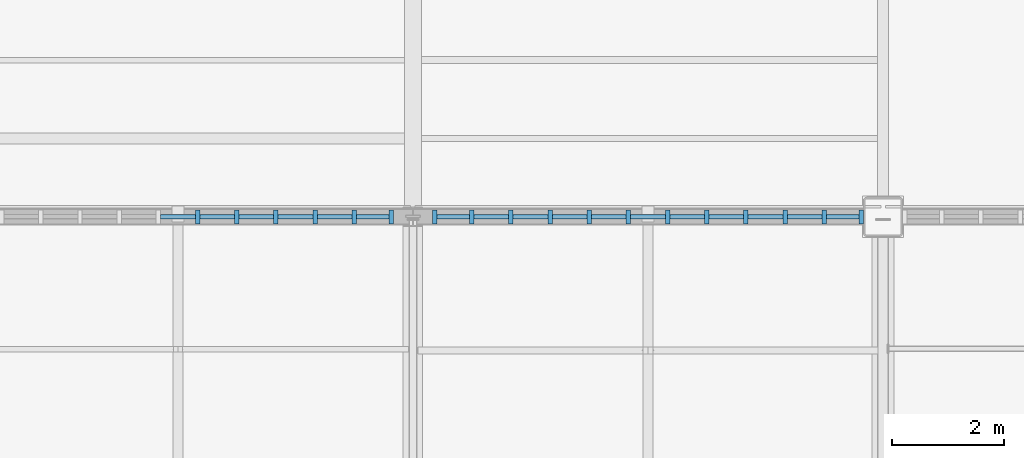
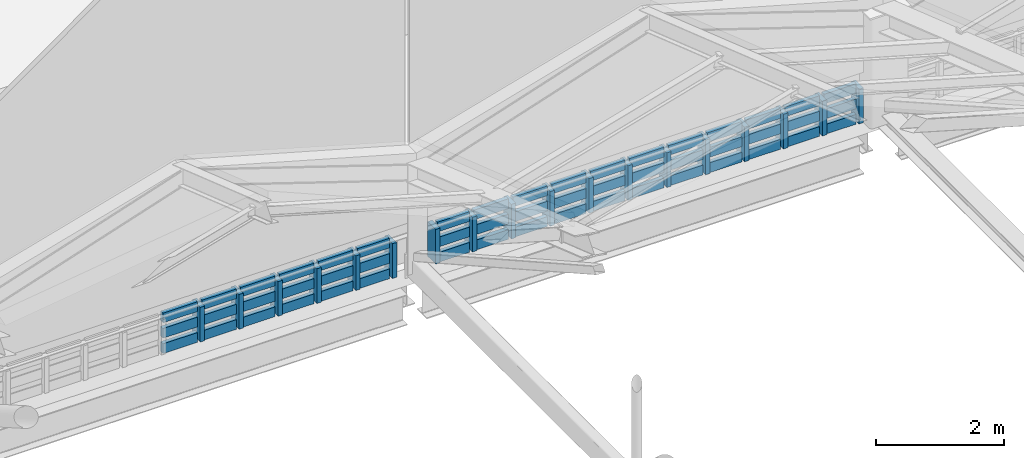
# One storey, part 48 of 77: 69 members, 2 elements without a shape of their own.
"""IFC4 building model written with IfcOpenShell, lengths in metres."""

from ifc_helpers import new_model, si_unit, direction, frame, origin, origin_2d, place, context, subcontext, project, spatial, rectangle, extrude, material, material_profile, profile_set, type_object, element, aggregate, save


model = new_model("IFC4")

# Units and contexts
model_context = context("Model", 3, precision=1e-05, world=origin(), true_north=direction((0.0, 1.0)))
body_context = subcontext(model_context, "Body", "Model", "MODEL_VIEW")
ifc_project = project(units=[si_unit("LENGTHUNIT", "METRE"), si_unit("AREAUNIT", "SQUARE_METRE"), si_unit("VOLUMEUNIT", "CUBIC_METRE"), si_unit("PLANEANGLEUNIT", "RADIAN"), si_unit("MASSUNIT", "GRAM", prefix="KILO")], contexts=[model_context])

# Site, building, storey
site_placement = place(None, origin())
site = spatial("IfcSite", under=ifc_project, at=site_placement, CompositionType="ELEMENT")
building_placement = place(site_placement, origin())
building = spatial("IfcBuilding", under=site, at=building_placement, Name="Larkvane Passage Sports Hall", CompositionType="ELEMENT")
storey_placement = place(building_placement, frame((0.0, 0.0, 22.199951171875)))
storey = spatial("IfcBuildingStorey", under=building, at=storey_placement, Name="RF", CompositionType="ELEMENT", Elevation=22.199951171875)

# Curtain wall, members
ifc_material_1 = material(Name="Thermally broken aluminium and low-E glazing", Category="aluminium")
curtain_wall_type = type_object("IfcCurtainWallType", Name="CW-CLER-N", PredefinedType="USERDEFINED", material=ifc_material_1)
curtain_wall_1_placement = place(storey_placement, origin())
curtain_wall_1 = element("IfcCurtainWall", 1, at=curtain_wall_1_placement, inside=storey, type_object=curtain_wall_type, Name="Curtain wall CW5-RF-CLER-4", ObjectType="STICK CURTAIN WALL", PredefinedType="USERDEFINED")
ifc_material_2 = material(Name="Anodised aluminium 6063-T6", Category="aluminium")
ifc_material_profile_1 = material_profile(ifc_material_2, rectangle(XDim=0.080078125, YDim=0.25, at=origin_2d()), Name="ALU-MUL-80x250")
ifc_profile_set_1 = profile_set([ifc_material_profile_1], Name="Anodised aluminium 6063-T6")
member_type_1 = type_object("IfcMemberType", Name="CW-MUL-80x250", PredefinedType="MULLION", material=ifc_profile_set_1)
member_1_placement = place(storey_placement, frame((68.010009765625, 75.60009765625, 0.0), z_axis=(0.0, 0.0, 1.0), x_axis=(-1.0, 0.0, 0.0)))
member_1 = element("IfcMember", 2, at=member_1_placement, type_object=member_type_1, Name="CW-04 mullion 1", PredefinedType="MULLION", context=body_context, shape_type="SweptSolid", body=[
    extrude(rectangle(XDim=0.080078125, YDim=0.25, at=origin_2d()), origin(), (0.0, 0.0, 1.0), 0.66015625),
])
member_2_placement = place(storey_placement, frame((67.35009765625, 75.60009765625, 0.0), z_axis=(0.0, 0.0, 1.0), x_axis=(-1.0, 0.0, 0.0)))
member_2 = element("IfcMember", 3, at=member_2_placement, type_object=member_type_1, Name="CW-04 mullion 2", PredefinedType="MULLION", context=body_context, shape_type="SweptSolid", body=[
    extrude(rectangle(XDim=0.080078125, YDim=0.25, at=origin_2d()), origin(), (0.0, 0.0, 1.0), 0.66015625),
])
member_3_placement = place(storey_placement, frame((66.64990234375, 75.60009765625, 0.0), z_axis=(0.0, 0.0, 1.0), x_axis=(-1.0, 0.0, 0.0)))
member_3 = element("IfcMember", 4, at=member_3_placement, type_object=member_type_1, Name="CW-04 mullion 3", PredefinedType="MULLION", context=body_context, shape_type="SweptSolid", body=[
    extrude(rectangle(XDim=0.080078125, YDim=0.25, at=origin_2d()), origin(), (0.0, 0.0, 1.0), 0.66015625),
])
member_4_placement = place(storey_placement, frame((65.949951171875, 75.60009765625, 0.0), z_axis=(0.0, 0.0, 1.0), x_axis=(-1.0, 0.0, 0.0)))
member_4 = element("IfcMember", 5, at=member_4_placement, type_object=member_type_1, Name="CW-04 mullion 4", PredefinedType="MULLION", context=body_context, shape_type="SweptSolid", body=[
    extrude(rectangle(XDim=0.080078125, YDim=0.25, at=origin_2d()), origin(), (0.0, 0.0, 1.0), 0.66015625),
])
member_5_placement = place(storey_placement, frame((65.25, 75.60009765625, 0.0), z_axis=(0.0, 0.0, 1.0), x_axis=(-1.0, 0.0, 0.0)))
member_5 = element("IfcMember", 6, at=member_5_placement, type_object=member_type_1, Name="CW-04 mullion 5", PredefinedType="MULLION", context=body_context, shape_type="SweptSolid", body=[
    extrude(rectangle(XDim=0.080078125, YDim=0.25, at=origin_2d()), origin(), (0.0, 0.0, 1.0), 0.66015625),
])
member_6_placement = place(storey_placement, frame((64.550048828125, 75.60009765625, 0.0), z_axis=(0.0, 0.0, 1.0), x_axis=(-1.0, 0.0, 0.0)))
member_6 = element("IfcMember", 7, at=member_6_placement, type_object=member_type_1, Name="CW-04 mullion 6", PredefinedType="MULLION", context=body_context, shape_type="SweptSolid", body=[
    extrude(rectangle(XDim=0.080078125, YDim=0.25, at=origin_2d()), origin(), (0.0, 0.0, 1.0), 0.66015625),
])

curtain_wall_2_placement = place(storey_placement, origin())
curtain_wall_2 = element("IfcCurtainWall", 8, at=curtain_wall_2_placement, inside=storey, type_object=curtain_wall_type, Name="Curtain wall CW5-RF-CLER-5", ObjectType="STICK CURTAIN WALL", PredefinedType="USERDEFINED")
member_7_placement = place(storey_placement, frame((76.409912109375, 75.60009765625, 0.0), z_axis=(0.0, 0.0, 1.0), x_axis=(-1.0, 0.0, 0.0)))
member_7 = element("IfcMember", 9, at=member_7_placement, type_object=member_type_1, Name="CW-04 mullion 1", PredefinedType="MULLION", context=body_context, shape_type="SweptSolid", body=[
    extrude(rectangle(XDim=0.080078125, YDim=0.25, at=origin_2d()), origin(), (0.0, 0.0, 1.0), 0.66015625),
])
member_8_placement = place(storey_placement, frame((75.75, 75.60009765625, 0.0), z_axis=(0.0, 0.0, 1.0), x_axis=(-1.0, 0.0, 0.0)))
member_8 = element("IfcMember", 10, at=member_8_placement, type_object=member_type_1, Name="CW-04 mullion 2", PredefinedType="MULLION", context=body_context, shape_type="SweptSolid", body=[
    extrude(rectangle(XDim=0.080078125, YDim=0.25, at=origin_2d()), origin(), (0.0, 0.0, 1.0), 0.66015625),
])
member_9_placement = place(storey_placement, frame((75.050048828125, 75.60009765625, 0.0), z_axis=(0.0, 0.0, 1.0), x_axis=(-1.0, 0.0, 0.0)))
member_9 = element("IfcMember", 11, at=member_9_placement, type_object=member_type_1, Name="CW-04 mullion 3", PredefinedType="MULLION", context=body_context, shape_type="SweptSolid", body=[
    extrude(rectangle(XDim=0.080078125, YDim=0.25, at=origin_2d()), origin(), (0.0, 0.0, 1.0), 0.66015625),
])
member_10_placement = place(storey_placement, frame((74.35009765625, 75.60009765625, 0.0), z_axis=(0.0, 0.0, 1.0), x_axis=(-1.0, 0.0, 0.0)))
member_10 = element("IfcMember", 12, at=member_10_placement, type_object=member_type_1, Name="CW-04 mullion 4", PredefinedType="MULLION", context=body_context, shape_type="SweptSolid", body=[
    extrude(rectangle(XDim=0.080078125, YDim=0.25, at=origin_2d()), origin(), (0.0, 0.0, 1.0), 0.66015625),
])
member_11_placement = place(storey_placement, frame((73.64990234375, 75.60009765625, 0.0), z_axis=(0.0, 0.0, 1.0), x_axis=(-1.0, 0.0, 0.0)))
member_11 = element("IfcMember", 13, at=member_11_placement, type_object=member_type_1, Name="CW-04 mullion 5", PredefinedType="MULLION", context=body_context, shape_type="SweptSolid", body=[
    extrude(rectangle(XDim=0.080078125, YDim=0.25, at=origin_2d()), origin(), (0.0, 0.0, 1.0), 0.66015625),
])
member_12_placement = place(storey_placement, frame((72.949951171875, 75.60009765625, 0.0), z_axis=(0.0, 0.0, 1.0), x_axis=(-1.0, 0.0, 0.0)))
member_12 = element("IfcMember", 14, at=member_12_placement, type_object=member_type_1, Name="CW-04 mullion 6", PredefinedType="MULLION", context=body_context, shape_type="SweptSolid", body=[
    extrude(rectangle(XDim=0.080078125, YDim=0.25, at=origin_2d()), origin(), (0.0, 0.0, 1.0), 0.66015625),
])
member_13_placement = place(storey_placement, frame((72.25, 75.60009765625, 0.0), z_axis=(0.0, 0.0, 1.0), x_axis=(-1.0, 0.0, 0.0)))
member_13 = element("IfcMember", 15, at=member_13_placement, type_object=member_type_1, Name="CW-04 mullion 7", PredefinedType="MULLION", context=body_context, shape_type="SweptSolid", body=[
    extrude(rectangle(XDim=0.080078125, YDim=0.25, at=origin_2d()), origin(), (0.0, 0.0, 1.0), 0.66015625),
])
member_14_placement = place(storey_placement, frame((71.550048828125, 75.60009765625, 0.0), z_axis=(0.0, 0.0, 1.0), x_axis=(-1.0, 0.0, 0.0)))
member_14 = element("IfcMember", 16, at=member_14_placement, type_object=member_type_1, Name="CW-04 mullion 8", PredefinedType="MULLION", context=body_context, shape_type="SweptSolid", body=[
    extrude(rectangle(XDim=0.080078125, YDim=0.25, at=origin_2d()), origin(), (0.0, 0.0, 1.0), 0.66015625),
])
member_15_placement = place(storey_placement, frame((70.85009765625, 75.60009765625, 0.0), z_axis=(0.0, 0.0, 1.0), x_axis=(-1.0, 0.0, 0.0)))
member_15 = element("IfcMember", 17, at=member_15_placement, type_object=member_type_1, Name="CW-04 mullion 9", PredefinedType="MULLION", context=body_context, shape_type="SweptSolid", body=[
    extrude(rectangle(XDim=0.080078125, YDim=0.25, at=origin_2d()), origin(), (0.0, 0.0, 1.0), 0.66015625),
])
member_16_placement = place(storey_placement, frame((70.14990234375, 75.60009765625, 0.0), z_axis=(0.0, 0.0, 1.0), x_axis=(-1.0, 0.0, 0.0)))
member_16 = element("IfcMember", 18, at=member_16_placement, type_object=member_type_1, Name="CW-04 mullion 10", PredefinedType="MULLION", context=body_context, shape_type="SweptSolid", body=[
    extrude(rectangle(XDim=0.080078125, YDim=0.25, at=origin_2d()), origin(), (0.0, 0.0, 1.0), 0.66015625),
])
member_17_placement = place(storey_placement, frame((69.449951171875, 75.60009765625, 0.0), z_axis=(0.0, 0.0, 1.0), x_axis=(-1.0, 0.0, 0.0)))
member_17 = element("IfcMember", 19, at=member_17_placement, type_object=member_type_1, Name="CW-04 mullion 11", PredefinedType="MULLION", context=body_context, shape_type="SweptSolid", body=[
    extrude(rectangle(XDim=0.080078125, YDim=0.25, at=origin_2d()), origin(), (0.0, 0.0, 1.0), 0.66015625),
])
member_18_placement = place(storey_placement, frame((68.7900390625, 75.60009765625, 0.0), z_axis=(0.0, 0.0, 1.0), x_axis=(-1.0, 0.0, 0.0)))
member_18 = element("IfcMember", 20, at=member_18_placement, type_object=member_type_1, Name="CW-04 mullion 12", PredefinedType="MULLION", context=body_context, shape_type="SweptSolid", body=[
    extrude(rectangle(XDim=0.080078125, YDim=0.25, at=origin_2d()), origin(), (0.0, 0.0, 1.0), 0.66015625),
])

# Member
ifc_material_profile_2 = material_profile(ifc_material_2, rectangle(XDim=0.074951171875, YDim=0.18505859375, at=origin_2d()), Name="ALU-TRN-75x185")
ifc_profile_set_2 = profile_set([ifc_material_profile_2], Name="Anodised aluminium 6063-T6")
member_type_2 = type_object("IfcMemberType", Name="CW-TRN-75x185", PredefinedType="USERDEFINED", material=ifc_profile_set_2)
member_19_placement = place(storey_placement, frame((67.969970703125, 75.60009765625, 0.03759765625), z_axis=(-1.0, 0.0, 0.0), x_axis=(0.0, -1.0, 0.0)))
member_19 = element("IfcMember", 21, at=member_19_placement, type_object=member_type_2, Name="CW-04 transom 1.1", ObjectType="TRANSOM", PredefinedType="USERDEFINED", context=body_context, shape_type="SweptSolid", body=[
    extrude(rectangle(XDim=0.074951171875, YDim=0.18505859375, at=origin_2d()), origin(), (0.0, 0.0, 1.0), 0.580078125),
])

member_20_placement = place(storey_placement, frame((67.969970703125, 75.60009765625, 0.330078125), z_axis=(-1.0, 0.0, 0.0), x_axis=(0.0, -1.0, 0.0)))
member_20 = element("IfcMember", 22, at=member_20_placement, type_object=member_type_2, Name="CW-04 transom 1.2", ObjectType="TRANSOM", PredefinedType="USERDEFINED", context=body_context, shape_type="SweptSolid", body=[
    extrude(rectangle(XDim=0.074951171875, YDim=0.18505859375, at=origin_2d()), origin(), (0.0, 0.0, 1.0), 0.580078125),
])

member_21_placement = place(storey_placement, frame((67.969970703125, 75.60009765625, 0.62255859375), z_axis=(-1.0, 0.0, 0.0), x_axis=(0.0, -1.0, 0.0)))
member_21 = element("IfcMember", 23, at=member_21_placement, type_object=member_type_2, Name="CW-04 transom 1.3", ObjectType="TRANSOM", PredefinedType="USERDEFINED", context=body_context, shape_type="SweptSolid", body=[
    extrude(rectangle(XDim=0.074951171875, YDim=0.18505859375, at=origin_2d()), origin(), (0.0, 0.0, 1.0), 0.580078125),
])

member_22_placement = place(storey_placement, frame((67.31005859375, 75.60009765625, 0.03759765625), z_axis=(-1.0, 0.0, 0.0), x_axis=(0.0, -1.0, 0.0)))
member_22 = element("IfcMember", 24, at=member_22_placement, type_object=member_type_2, Name="CW-04 transom 2.1", ObjectType="TRANSOM", PredefinedType="USERDEFINED", context=body_context, shape_type="SweptSolid", body=[
    extrude(rectangle(XDim=0.074951171875, YDim=0.18505859375, at=origin_2d()), origin(), (0.0, 0.0, 1.0), 0.6201171875),
])

member_23_placement = place(storey_placement, frame((67.31005859375, 75.60009765625, 0.330078125), z_axis=(-1.0, 0.0, 0.0), x_axis=(0.0, -1.0, 0.0)))
member_23 = element("IfcMember", 25, at=member_23_placement, type_object=member_type_2, Name="CW-04 transom 2.2", ObjectType="TRANSOM", PredefinedType="USERDEFINED", context=body_context, shape_type="SweptSolid", body=[
    extrude(rectangle(XDim=0.074951171875, YDim=0.18505859375, at=origin_2d()), origin(), (0.0, 0.0, 1.0), 0.6201171875),
])

member_24_placement = place(storey_placement, frame((67.31005859375, 75.60009765625, 0.62255859375), z_axis=(-1.0, 0.0, 0.0), x_axis=(0.0, -1.0, 0.0)))
member_24 = element("IfcMember", 26, at=member_24_placement, type_object=member_type_2, Name="CW-04 transom 2.3", ObjectType="TRANSOM", PredefinedType="USERDEFINED", context=body_context, shape_type="SweptSolid", body=[
    extrude(rectangle(XDim=0.074951171875, YDim=0.18505859375, at=origin_2d()), origin(), (0.0, 0.0, 1.0), 0.6201171875),
])

member_25_placement = place(storey_placement, frame((66.610107421875, 75.60009765625, 0.03759765625), z_axis=(-1.0, 0.0, 0.0), x_axis=(0.0, -1.0, 0.0)))
member_25 = element("IfcMember", 27, at=member_25_placement, type_object=member_type_2, Name="CW-04 transom 3.1", ObjectType="TRANSOM", PredefinedType="USERDEFINED", context=body_context, shape_type="SweptSolid", body=[
    extrude(rectangle(XDim=0.074951171875, YDim=0.18505859375, at=origin_2d()), origin(), (0.0, 0.0, 1.0), 0.6201171875),
])

member_26_placement = place(storey_placement, frame((66.610107421875, 75.60009765625, 0.330078125), z_axis=(-1.0, 0.0, 0.0), x_axis=(0.0, -1.0, 0.0)))
member_26 = element("IfcMember", 28, at=member_26_placement, type_object=member_type_2, Name="CW-04 transom 3.2", ObjectType="TRANSOM", PredefinedType="USERDEFINED", context=body_context, shape_type="SweptSolid", body=[
    extrude(rectangle(XDim=0.074951171875, YDim=0.18505859375, at=origin_2d()), origin(), (0.0, 0.0, 1.0), 0.6201171875),
])

member_27_placement = place(storey_placement, frame((66.610107421875, 75.60009765625, 0.62255859375), z_axis=(-1.0, 0.0, 0.0), x_axis=(0.0, -1.0, 0.0)))
member_27 = element("IfcMember", 29, at=member_27_placement, type_object=member_type_2, Name="CW-04 transom 3.3", ObjectType="TRANSOM", PredefinedType="USERDEFINED", context=body_context, shape_type="SweptSolid", body=[
    extrude(rectangle(XDim=0.074951171875, YDim=0.18505859375, at=origin_2d()), origin(), (0.0, 0.0, 1.0), 0.6201171875),
])

member_28_placement = place(storey_placement, frame((65.909912109375, 75.60009765625, 0.03759765625), z_axis=(-1.0, 0.0, 0.0), x_axis=(0.0, -1.0, 0.0)))
member_28 = element("IfcMember", 30, at=member_28_placement, type_object=member_type_2, Name="CW-04 transom 4.1", ObjectType="TRANSOM", PredefinedType="USERDEFINED", context=body_context, shape_type="SweptSolid", body=[
    extrude(rectangle(XDim=0.074951171875, YDim=0.18505859375, at=origin_2d()), origin(), (0.0, 0.0, 1.0), 0.619873046875),
])

member_29_placement = place(storey_placement, frame((65.909912109375, 75.60009765625, 0.330078125), z_axis=(-1.0, 0.0, 0.0), x_axis=(0.0, -1.0, 0.0)))
member_29 = element("IfcMember", 31, at=member_29_placement, type_object=member_type_2, Name="CW-04 transom 4.2", ObjectType="TRANSOM", PredefinedType="USERDEFINED", context=body_context, shape_type="SweptSolid", body=[
    extrude(rectangle(XDim=0.074951171875, YDim=0.18505859375, at=origin_2d()), origin(), (0.0, 0.0, 1.0), 0.619873046875),
])

member_30_placement = place(storey_placement, frame((65.909912109375, 75.60009765625, 0.62255859375), z_axis=(-1.0, 0.0, 0.0), x_axis=(0.0, -1.0, 0.0)))
member_30 = element("IfcMember", 32, at=member_30_placement, type_object=member_type_2, Name="CW-04 transom 4.3", ObjectType="TRANSOM", PredefinedType="USERDEFINED", context=body_context, shape_type="SweptSolid", body=[
    extrude(rectangle(XDim=0.074951171875, YDim=0.18505859375, at=origin_2d()), origin(), (0.0, 0.0, 1.0), 0.619873046875),
])

member_31_placement = place(storey_placement, frame((65.2099609375, 75.60009765625, 0.03759765625), z_axis=(-1.0, 0.0, 0.0), x_axis=(0.0, -1.0, 0.0)))
member_31 = element("IfcMember", 33, at=member_31_placement, type_object=member_type_2, Name="CW-04 transom 5.1", ObjectType="TRANSOM", PredefinedType="USERDEFINED", context=body_context, shape_type="SweptSolid", body=[
    extrude(rectangle(XDim=0.074951171875, YDim=0.18505859375, at=origin_2d()), origin(), (0.0, 0.0, 1.0), 0.619873046875),
])

member_32_placement = place(storey_placement, frame((65.2099609375, 75.60009765625, 0.330078125), z_axis=(-1.0, 0.0, 0.0), x_axis=(0.0, -1.0, 0.0)))
member_32 = element("IfcMember", 34, at=member_32_placement, type_object=member_type_2, Name="CW-04 transom 5.2", ObjectType="TRANSOM", PredefinedType="USERDEFINED", context=body_context, shape_type="SweptSolid", body=[
    extrude(rectangle(XDim=0.074951171875, YDim=0.18505859375, at=origin_2d()), origin(), (0.0, 0.0, 1.0), 0.619873046875),
])

member_33_placement = place(storey_placement, frame((65.2099609375, 75.60009765625, 0.62255859375), z_axis=(-1.0, 0.0, 0.0), x_axis=(0.0, -1.0, 0.0)))
member_33 = element("IfcMember", 35, at=member_33_placement, type_object=member_type_2, Name="CW-04 transom 5.3", ObjectType="TRANSOM", PredefinedType="USERDEFINED", context=body_context, shape_type="SweptSolid", body=[
    extrude(rectangle(XDim=0.074951171875, YDim=0.18505859375, at=origin_2d()), origin(), (0.0, 0.0, 1.0), 0.619873046875),
])

member_34_placement = place(storey_placement, frame((64.510009765625, 75.60009765625, 0.03759765625), z_axis=(-1.0, 0.0, 0.0), x_axis=(0.0, -1.0, 0.0)))
member_34 = element("IfcMember", 36, at=member_34_placement, type_object=member_type_2, Name="CW-04 transom 6.1", ObjectType="TRANSOM", PredefinedType="USERDEFINED", context=body_context, shape_type="SweptSolid", body=[
    extrude(rectangle(XDim=0.074951171875, YDim=0.18505859375, at=origin_2d()), origin(), (0.0, 0.0, 1.0), 0.6201171875),
])

member_35_placement = place(storey_placement, frame((64.510009765625, 75.60009765625, 0.330078125), z_axis=(-1.0, 0.0, 0.0), x_axis=(0.0, -1.0, 0.0)))
member_35 = element("IfcMember", 37, at=member_35_placement, type_object=member_type_2, Name="CW-04 transom 6.2", ObjectType="TRANSOM", PredefinedType="USERDEFINED", context=body_context, shape_type="SweptSolid", body=[
    extrude(rectangle(XDim=0.074951171875, YDim=0.18505859375, at=origin_2d()), origin(), (0.0, 0.0, 1.0), 0.6201171875),
])

member_36_placement = place(storey_placement, frame((64.510009765625, 75.60009765625, 0.62255859375), z_axis=(-1.0, 0.0, 0.0), x_axis=(0.0, -1.0, 0.0)))
member_36 = element("IfcMember", 38, at=member_36_placement, type_object=member_type_2, Name="CW-04 transom 6.3", ObjectType="TRANSOM", PredefinedType="USERDEFINED", context=body_context, shape_type="SweptSolid", body=[
    extrude(rectangle(XDim=0.074951171875, YDim=0.18505859375, at=origin_2d()), origin(), (0.0, 0.0, 1.0), 0.6201171875),
])

aggregate(curtain_wall_1, [member_1, member_2, member_3, member_4, member_5, member_6, member_19, member_20, member_21, member_22, member_23, member_24, member_25, member_26, member_27, member_28, member_29, member_30, member_31, member_32, member_33, member_34, member_35, member_36])

member_37_placement = place(storey_placement, frame((76.3701171875, 75.60009765625, 0.03759765625), z_axis=(-1.0, 0.0, 0.0), x_axis=(0.0, -1.0, 0.0)))
member_37 = element("IfcMember", 39, at=member_37_placement, type_object=member_type_2, Name="CW-04 transom 1.1", ObjectType="TRANSOM", PredefinedType="USERDEFINED", context=body_context, shape_type="SweptSolid", body=[
    extrude(rectangle(XDim=0.074951171875, YDim=0.18505859375, at=origin_2d()), origin(), (0.0, 0.0, 1.0), 0.580078125),
])

member_38_placement = place(storey_placement, frame((76.3701171875, 75.60009765625, 0.330078125), z_axis=(-1.0, 0.0, 0.0), x_axis=(0.0, -1.0, 0.0)))
member_38 = element("IfcMember", 40, at=member_38_placement, type_object=member_type_2, Name="CW-04 transom 1.2", ObjectType="TRANSOM", PredefinedType="USERDEFINED", context=body_context, shape_type="SweptSolid", body=[
    extrude(rectangle(XDim=0.074951171875, YDim=0.18505859375, at=origin_2d()), origin(), (0.0, 0.0, 1.0), 0.580078125),
])

member_39_placement = place(storey_placement, frame((76.3701171875, 75.60009765625, 0.62255859375), z_axis=(-1.0, 0.0, 0.0), x_axis=(0.0, -1.0, 0.0)))
member_39 = element("IfcMember", 41, at=member_39_placement, type_object=member_type_2, Name="CW-04 transom 1.3", ObjectType="TRANSOM", PredefinedType="USERDEFINED", context=body_context, shape_type="SweptSolid", body=[
    extrude(rectangle(XDim=0.074951171875, YDim=0.18505859375, at=origin_2d()), origin(), (0.0, 0.0, 1.0), 0.580078125),
])

member_40_placement = place(storey_placement, frame((75.7099609375, 75.60009765625, 0.03759765625), z_axis=(-1.0, 0.0, 0.0), x_axis=(0.0, -1.0, 0.0)))
member_40 = element("IfcMember", 42, at=member_40_placement, type_object=member_type_2, Name="CW-04 transom 2.1", ObjectType="TRANSOM", PredefinedType="USERDEFINED", context=body_context, shape_type="SweptSolid", body=[
    extrude(rectangle(XDim=0.074951171875, YDim=0.18505859375, at=origin_2d()), origin(), (0.0, 0.0, 1.0), 0.619873046875),
])

member_41_placement = place(storey_placement, frame((75.7099609375, 75.60009765625, 0.330078125), z_axis=(-1.0, 0.0, 0.0), x_axis=(0.0, -1.0, 0.0)))
member_41 = element("IfcMember", 43, at=member_41_placement, type_object=member_type_2, Name="CW-04 transom 2.2", ObjectType="TRANSOM", PredefinedType="USERDEFINED", context=body_context, shape_type="SweptSolid", body=[
    extrude(rectangle(XDim=0.074951171875, YDim=0.18505859375, at=origin_2d()), origin(), (0.0, 0.0, 1.0), 0.619873046875),
])

member_42_placement = place(storey_placement, frame((75.7099609375, 75.60009765625, 0.62255859375), z_axis=(-1.0, 0.0, 0.0), x_axis=(0.0, -1.0, 0.0)))
member_42 = element("IfcMember", 44, at=member_42_placement, type_object=member_type_2, Name="CW-04 transom 2.3", ObjectType="TRANSOM", PredefinedType="USERDEFINED", context=body_context, shape_type="SweptSolid", body=[
    extrude(rectangle(XDim=0.074951171875, YDim=0.18505859375, at=origin_2d()), origin(), (0.0, 0.0, 1.0), 0.619873046875),
])

member_43_placement = place(storey_placement, frame((75.010009765625, 75.60009765625, 0.03759765625), z_axis=(-1.0, 0.0, 0.0), x_axis=(0.0, -1.0, 0.0)))
member_43 = element("IfcMember", 45, at=member_43_placement, type_object=member_type_2, Name="CW-04 transom 3.1", ObjectType="TRANSOM", PredefinedType="USERDEFINED", context=body_context, shape_type="SweptSolid", body=[
    extrude(rectangle(XDim=0.074951171875, YDim=0.18505859375, at=origin_2d()), origin(), (0.0, 0.0, 1.0), 0.6201171875),
])

member_44_placement = place(storey_placement, frame((75.010009765625, 75.60009765625, 0.330078125), z_axis=(-1.0, 0.0, 0.0), x_axis=(0.0, -1.0, 0.0)))
member_44 = element("IfcMember", 46, at=member_44_placement, type_object=member_type_2, Name="CW-04 transom 3.2", ObjectType="TRANSOM", PredefinedType="USERDEFINED", context=body_context, shape_type="SweptSolid", body=[
    extrude(rectangle(XDim=0.074951171875, YDim=0.18505859375, at=origin_2d()), origin(), (0.0, 0.0, 1.0), 0.6201171875),
])

member_45_placement = place(storey_placement, frame((75.010009765625, 75.60009765625, 0.62255859375), z_axis=(-1.0, 0.0, 0.0), x_axis=(0.0, -1.0, 0.0)))
member_45 = element("IfcMember", 47, at=member_45_placement, type_object=member_type_2, Name="CW-04 transom 3.3", ObjectType="TRANSOM", PredefinedType="USERDEFINED", context=body_context, shape_type="SweptSolid", body=[
    extrude(rectangle(XDim=0.074951171875, YDim=0.18505859375, at=origin_2d()), origin(), (0.0, 0.0, 1.0), 0.6201171875),
])

member_46_placement = place(storey_placement, frame((74.31005859375, 75.60009765625, 0.03759765625), z_axis=(-1.0, 0.0, 0.0), x_axis=(0.0, -1.0, 0.0)))
member_46 = element("IfcMember", 48, at=member_46_placement, type_object=member_type_2, Name="CW-04 transom 4.1", ObjectType="TRANSOM", PredefinedType="USERDEFINED", context=body_context, shape_type="SweptSolid", body=[
    extrude(rectangle(XDim=0.074951171875, YDim=0.18505859375, at=origin_2d()), origin(), (0.0, 0.0, 1.0), 0.6201171875),
])

member_47_placement = place(storey_placement, frame((74.31005859375, 75.60009765625, 0.330078125), z_axis=(-1.0, 0.0, 0.0), x_axis=(0.0, -1.0, 0.0)))
member_47 = element("IfcMember", 49, at=member_47_placement, type_object=member_type_2, Name="CW-04 transom 4.2", ObjectType="TRANSOM", PredefinedType="USERDEFINED", context=body_context, shape_type="SweptSolid", body=[
    extrude(rectangle(XDim=0.074951171875, YDim=0.18505859375, at=origin_2d()), origin(), (0.0, 0.0, 1.0), 0.6201171875),
])

member_48_placement = place(storey_placement, frame((74.31005859375, 75.60009765625, 0.62255859375), z_axis=(-1.0, 0.0, 0.0), x_axis=(0.0, -1.0, 0.0)))
member_48 = element("IfcMember", 50, at=member_48_placement, type_object=member_type_2, Name="CW-04 transom 4.3", ObjectType="TRANSOM", PredefinedType="USERDEFINED", context=body_context, shape_type="SweptSolid", body=[
    extrude(rectangle(XDim=0.074951171875, YDim=0.18505859375, at=origin_2d()), origin(), (0.0, 0.0, 1.0), 0.6201171875),
])

member_49_placement = place(storey_placement, frame((73.610107421875, 75.60009765625, 0.03759765625), z_axis=(-1.0, 0.0, 0.0), x_axis=(0.0, -1.0, 0.0)))
member_49 = element("IfcMember", 51, at=member_49_placement, type_object=member_type_2, Name="CW-04 transom 5.1", ObjectType="TRANSOM", PredefinedType="USERDEFINED", context=body_context, shape_type="SweptSolid", body=[
    extrude(rectangle(XDim=0.074951171875, YDim=0.18505859375, at=origin_2d()), origin(), (0.0, 0.0, 1.0), 0.6201171875),
])

member_50_placement = place(storey_placement, frame((73.610107421875, 75.60009765625, 0.330078125), z_axis=(-1.0, 0.0, 0.0), x_axis=(0.0, -1.0, 0.0)))
member_50 = element("IfcMember", 52, at=member_50_placement, type_object=member_type_2, Name="CW-04 transom 5.2", ObjectType="TRANSOM", PredefinedType="USERDEFINED", context=body_context, shape_type="SweptSolid", body=[
    extrude(rectangle(XDim=0.074951171875, YDim=0.18505859375, at=origin_2d()), origin(), (0.0, 0.0, 1.0), 0.6201171875),
])

member_51_placement = place(storey_placement, frame((73.610107421875, 75.60009765625, 0.62255859375), z_axis=(-1.0, 0.0, 0.0), x_axis=(0.0, -1.0, 0.0)))
member_51 = element("IfcMember", 53, at=member_51_placement, type_object=member_type_2, Name="CW-04 transom 5.3", ObjectType="TRANSOM", PredefinedType="USERDEFINED", context=body_context, shape_type="SweptSolid", body=[
    extrude(rectangle(XDim=0.074951171875, YDim=0.18505859375, at=origin_2d()), origin(), (0.0, 0.0, 1.0), 0.6201171875),
])

member_52_placement = place(storey_placement, frame((72.909912109375, 75.60009765625, 0.03759765625), z_axis=(-1.0, 0.0, 0.0), x_axis=(0.0, -1.0, 0.0)))
member_52 = element("IfcMember", 54, at=member_52_placement, type_object=member_type_2, Name="CW-04 transom 6.1", ObjectType="TRANSOM", PredefinedType="USERDEFINED", context=body_context, shape_type="SweptSolid", body=[
    extrude(rectangle(XDim=0.074951171875, YDim=0.18505859375, at=origin_2d()), origin(), (0.0, 0.0, 1.0), 0.619873046875),
])

member_53_placement = place(storey_placement, frame((72.909912109375, 75.60009765625, 0.330078125), z_axis=(-1.0, 0.0, 0.0), x_axis=(0.0, -1.0, 0.0)))
member_53 = element("IfcMember", 55, at=member_53_placement, type_object=member_type_2, Name="CW-04 transom 6.2", ObjectType="TRANSOM", PredefinedType="USERDEFINED", context=body_context, shape_type="SweptSolid", body=[
    extrude(rectangle(XDim=0.074951171875, YDim=0.18505859375, at=origin_2d()), origin(), (0.0, 0.0, 1.0), 0.619873046875),
])

member_54_placement = place(storey_placement, frame((72.909912109375, 75.60009765625, 0.62255859375), z_axis=(-1.0, 0.0, 0.0), x_axis=(0.0, -1.0, 0.0)))
member_54 = element("IfcMember", 56, at=member_54_placement, type_object=member_type_2, Name="CW-04 transom 6.3", ObjectType="TRANSOM", PredefinedType="USERDEFINED", context=body_context, shape_type="SweptSolid", body=[
    extrude(rectangle(XDim=0.074951171875, YDim=0.18505859375, at=origin_2d()), origin(), (0.0, 0.0, 1.0), 0.619873046875),
])

member_55_placement = place(storey_placement, frame((72.2099609375, 75.60009765625, 0.03759765625), z_axis=(-1.0, 0.0, 0.0), x_axis=(0.0, -1.0, 0.0)))
member_55 = element("IfcMember", 57, at=member_55_placement, type_object=member_type_2, Name="CW-04 transom 7.1", ObjectType="TRANSOM", PredefinedType="USERDEFINED", context=body_context, shape_type="SweptSolid", body=[
    extrude(rectangle(XDim=0.074951171875, YDim=0.18505859375, at=origin_2d()), origin(), (0.0, 0.0, 1.0), 0.619873046875),
])

member_56_placement = place(storey_placement, frame((72.2099609375, 75.60009765625, 0.330078125), z_axis=(-1.0, 0.0, 0.0), x_axis=(0.0, -1.0, 0.0)))
member_56 = element("IfcMember", 58, at=member_56_placement, type_object=member_type_2, Name="CW-04 transom 7.2", ObjectType="TRANSOM", PredefinedType="USERDEFINED", context=body_context, shape_type="SweptSolid", body=[
    extrude(rectangle(XDim=0.074951171875, YDim=0.18505859375, at=origin_2d()), origin(), (0.0, 0.0, 1.0), 0.619873046875),
])

member_57_placement = place(storey_placement, frame((72.2099609375, 75.60009765625, 0.62255859375), z_axis=(-1.0, 0.0, 0.0), x_axis=(0.0, -1.0, 0.0)))
member_57 = element("IfcMember", 59, at=member_57_placement, type_object=member_type_2, Name="CW-04 transom 7.3", ObjectType="TRANSOM", PredefinedType="USERDEFINED", context=body_context, shape_type="SweptSolid", body=[
    extrude(rectangle(XDim=0.074951171875, YDim=0.18505859375, at=origin_2d()), origin(), (0.0, 0.0, 1.0), 0.619873046875),
])

member_58_placement = place(storey_placement, frame((71.510009765625, 75.60009765625, 0.03759765625), z_axis=(-1.0, 0.0, 0.0), x_axis=(0.0, -1.0, 0.0)))
member_58 = element("IfcMember", 60, at=member_58_placement, type_object=member_type_2, Name="CW-04 transom 8.1", ObjectType="TRANSOM", PredefinedType="USERDEFINED", context=body_context, shape_type="SweptSolid", body=[
    extrude(rectangle(XDim=0.074951171875, YDim=0.18505859375, at=origin_2d()), origin(), (0.0, 0.0, 1.0), 0.6201171875),
])

member_59_placement = place(storey_placement, frame((71.510009765625, 75.60009765625, 0.330078125), z_axis=(-1.0, 0.0, 0.0), x_axis=(0.0, -1.0, 0.0)))
member_59 = element("IfcMember", 61, at=member_59_placement, type_object=member_type_2, Name="CW-04 transom 8.2", ObjectType="TRANSOM", PredefinedType="USERDEFINED", context=body_context, shape_type="SweptSolid", body=[
    extrude(rectangle(XDim=0.074951171875, YDim=0.18505859375, at=origin_2d()), origin(), (0.0, 0.0, 1.0), 0.6201171875),
])

member_60_placement = place(storey_placement, frame((71.510009765625, 75.60009765625, 0.62255859375), z_axis=(-1.0, 0.0, 0.0), x_axis=(0.0, -1.0, 0.0)))
member_60 = element("IfcMember", 62, at=member_60_placement, type_object=member_type_2, Name="CW-04 transom 8.3", ObjectType="TRANSOM", PredefinedType="USERDEFINED", context=body_context, shape_type="SweptSolid", body=[
    extrude(rectangle(XDim=0.074951171875, YDim=0.18505859375, at=origin_2d()), origin(), (0.0, 0.0, 1.0), 0.6201171875),
])

member_61_placement = place(storey_placement, frame((70.81005859375, 75.60009765625, 0.03759765625), z_axis=(-1.0, 0.0, 0.0), x_axis=(0.0, -1.0, 0.0)))
member_61 = element("IfcMember", 63, at=member_61_placement, type_object=member_type_2, Name="CW-04 transom 9.1", ObjectType="TRANSOM", PredefinedType="USERDEFINED", context=body_context, shape_type="SweptSolid", body=[
    extrude(rectangle(XDim=0.074951171875, YDim=0.18505859375, at=origin_2d()), origin(), (0.0, 0.0, 1.0), 0.6201171875),
])

member_62_placement = place(storey_placement, frame((70.81005859375, 75.60009765625, 0.330078125), z_axis=(-1.0, 0.0, 0.0), x_axis=(0.0, -1.0, 0.0)))
member_62 = element("IfcMember", 64, at=member_62_placement, type_object=member_type_2, Name="CW-04 transom 9.2", ObjectType="TRANSOM", PredefinedType="USERDEFINED", context=body_context, shape_type="SweptSolid", body=[
    extrude(rectangle(XDim=0.074951171875, YDim=0.18505859375, at=origin_2d()), origin(), (0.0, 0.0, 1.0), 0.6201171875),
])

member_63_placement = place(storey_placement, frame((70.81005859375, 75.60009765625, 0.62255859375), z_axis=(-1.0, 0.0, 0.0), x_axis=(0.0, -1.0, 0.0)))
member_63 = element("IfcMember", 65, at=member_63_placement, type_object=member_type_2, Name="CW-04 transom 9.3", ObjectType="TRANSOM", PredefinedType="USERDEFINED", context=body_context, shape_type="SweptSolid", body=[
    extrude(rectangle(XDim=0.074951171875, YDim=0.18505859375, at=origin_2d()), origin(), (0.0, 0.0, 1.0), 0.6201171875),
])

member_64_placement = place(storey_placement, frame((70.110107421875, 75.60009765625, 0.03759765625), z_axis=(-1.0, 0.0, 0.0), x_axis=(0.0, -1.0, 0.0)))
member_64 = element("IfcMember", 66, at=member_64_placement, type_object=member_type_2, Name="CW-04 transom 10.1", ObjectType="TRANSOM", PredefinedType="USERDEFINED", context=body_context, shape_type="SweptSolid", body=[
    extrude(rectangle(XDim=0.074951171875, YDim=0.18505859375, at=origin_2d()), origin(), (0.0, 0.0, 1.0), 0.6201171875),
])

member_65_placement = place(storey_placement, frame((70.110107421875, 75.60009765625, 0.330078125), z_axis=(-1.0, 0.0, 0.0), x_axis=(0.0, -1.0, 0.0)))
member_65 = element("IfcMember", 67, at=member_65_placement, type_object=member_type_2, Name="CW-04 transom 10.2", ObjectType="TRANSOM", PredefinedType="USERDEFINED", context=body_context, shape_type="SweptSolid", body=[
    extrude(rectangle(XDim=0.074951171875, YDim=0.18505859375, at=origin_2d()), origin(), (0.0, 0.0, 1.0), 0.6201171875),
])

member_66_placement = place(storey_placement, frame((70.110107421875, 75.60009765625, 0.62255859375), z_axis=(-1.0, 0.0, 0.0), x_axis=(0.0, -1.0, 0.0)))
member_66 = element("IfcMember", 68, at=member_66_placement, type_object=member_type_2, Name="CW-04 transom 10.3", ObjectType="TRANSOM", PredefinedType="USERDEFINED", context=body_context, shape_type="SweptSolid", body=[
    extrude(rectangle(XDim=0.074951171875, YDim=0.18505859375, at=origin_2d()), origin(), (0.0, 0.0, 1.0), 0.6201171875),
])

member_67_placement = place(storey_placement, frame((69.409912109375, 75.60009765625, 0.03759765625), z_axis=(-1.0, 0.0, 0.0), x_axis=(0.0, -1.0, 0.0)))
member_67 = element("IfcMember", 69, at=member_67_placement, type_object=member_type_2, Name="CW-04 transom 11.1", ObjectType="TRANSOM", PredefinedType="USERDEFINED", context=body_context, shape_type="SweptSolid", body=[
    extrude(rectangle(XDim=0.074951171875, YDim=0.18505859375, at=origin_2d()), origin(), (0.0, 0.0, 1.0), 0.579833984375),
])

member_68_placement = place(storey_placement, frame((69.409912109375, 75.60009765625, 0.330078125), z_axis=(-1.0, 0.0, 0.0), x_axis=(0.0, -1.0, 0.0)))
member_68 = element("IfcMember", 70, at=member_68_placement, type_object=member_type_2, Name="CW-04 transom 11.2", ObjectType="TRANSOM", PredefinedType="USERDEFINED", context=body_context, shape_type="SweptSolid", body=[
    extrude(rectangle(XDim=0.074951171875, YDim=0.18505859375, at=origin_2d()), origin(), (0.0, 0.0, 1.0), 0.579833984375),
])

member_69_placement = place(storey_placement, frame((69.409912109375, 75.60009765625, 0.62255859375), z_axis=(-1.0, 0.0, 0.0), x_axis=(0.0, -1.0, 0.0)))
member_69 = element("IfcMember", 71, at=member_69_placement, type_object=member_type_2, Name="CW-04 transom 11.3", ObjectType="TRANSOM", PredefinedType="USERDEFINED", context=body_context, shape_type="SweptSolid", body=[
    extrude(rectangle(XDim=0.074951171875, YDim=0.18505859375, at=origin_2d()), origin(), (0.0, 0.0, 1.0), 0.579833984375),
])

aggregate(curtain_wall_2, [member_7, member_8, member_9, member_10, member_11, member_12, member_13, member_14, member_15, member_16, member_17, member_18, member_37, member_38, member_39, member_40, member_41, member_42, member_43, member_44, member_45, member_46, member_47, member_48, member_49, member_50, member_51, member_52, member_53, member_54, member_55, member_56, member_57, member_58, member_59, member_60, member_61, member_62, member_63, member_64, member_65, member_66, member_67, member_68, member_69])

save(model, "model.ifc")
